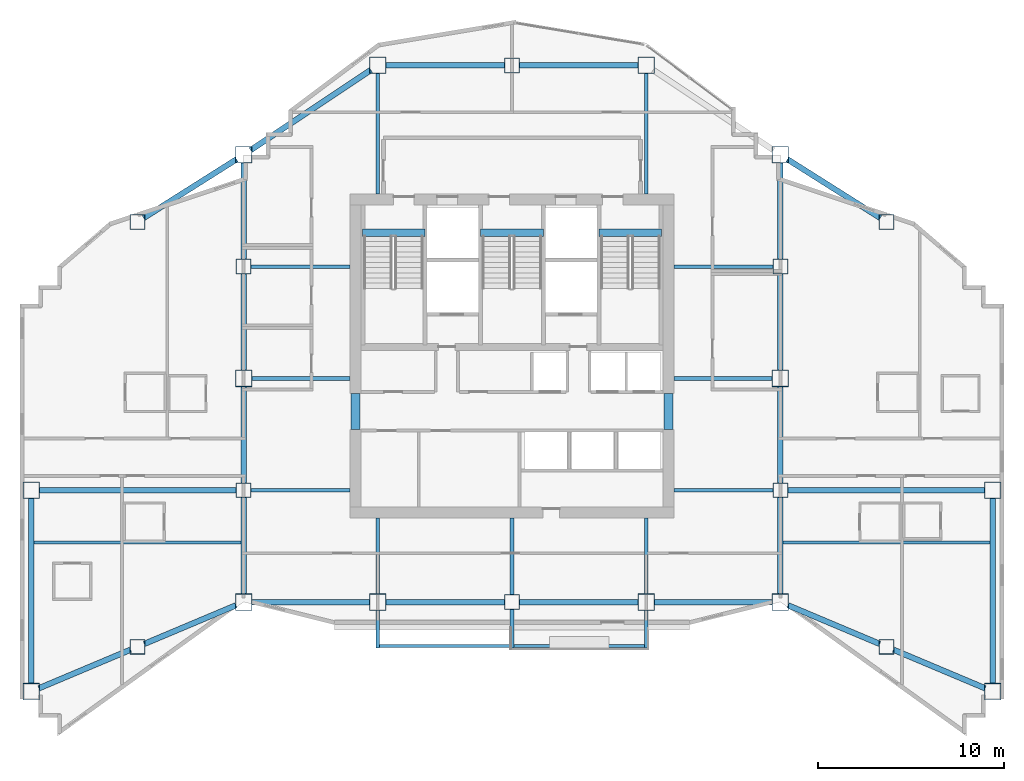
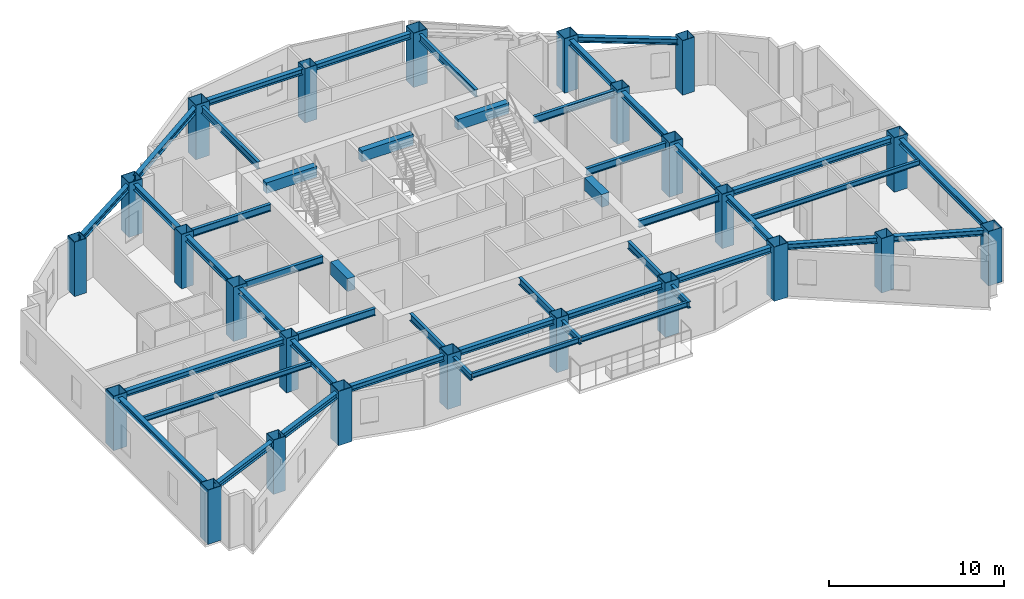
# One storey, part 1 of 10: 48 beams, 24 columns.
"""IFC4 building model written with IfcOpenShell, lengths in metres."""

from ifc_helpers import new_model, si_unit, direction, frame, origin, origin_2d, place, context, subcontext, project, spatial, rectangle, hollow_rectangle, i_section, extrude, material, material_profile, profile_set, type_object, element, save


model = new_model("IFC4")

# Units and contexts
model_context = context("Model", 3, precision=1e-05, world=origin(), true_north=direction((0.0, 1.0)))
body_context = subcontext(model_context, "Body", "Model", "MODEL_VIEW")
ifc_project = project(units=[si_unit("LENGTHUNIT", "METRE"), si_unit("AREAUNIT", "SQUARE_METRE"), si_unit("VOLUMEUNIT", "CUBIC_METRE"), si_unit("PLANEANGLEUNIT", "RADIAN"), si_unit("MASSUNIT", "GRAM", prefix="KILO")], contexts=[model_context])

# Site, building, storey
site_placement = place(None, origin())
site = spatial("IfcSite", under=ifc_project, at=site_placement, CompositionType="ELEMENT")
building_placement = place(site_placement, origin())
building = spatial("IfcBuilding", under=site, at=building_placement, Name="Haolan Belvedere Tower", CompositionType="ELEMENT")
storey_placement = place(building_placement, frame((0.0, 0.0, 176.60009765625)))
storey = spatial("IfcBuildingStorey", under=building, at=storey_placement, Name="L44", CompositionType="ELEMENT", Elevation=176.60009765625)

# Columns
ifc_material_1 = material(Name="Steel Q390GJC", Category="steel")
ifc_material_profile_1 = material_profile(ifc_material_1, hollow_rectangle(XDim=0.800048828125, YDim=0.800048828125, WallThickness=0.030029296875, at=origin_2d()), Name="Steel Q390GJC")
ifc_profile_set_1 = profile_set([ifc_material_profile_1], Name="Steel Q390GJC")
column_type_1 = type_object("IfcColumnType", Name="COL-BOX800x800x30", PredefinedType="COLUMN", material=ifc_profile_set_1)
for number, where, z_axis, x_axis, name in (
    (1, (24.0, 27.60009765625, 0.0), (0.0, 0.0, 1.0), (1.0, 0.0, 0.0), "L44 column TC-T3-W1 (BOX800x800x30)"),
    (2, (24.0, 39.60009765625, 0.0), (0.0, 0.0, 1.0), (1.0, 0.0, 0.0), "L44 column TC-T3-W2 (BOX800x800x30)"),
    (3, (52.800048828125, 27.60009765625, 0.0), (0.0, 0.0, 1.0), (1.0, 0.0, 0.0), "L44 column TC-T3-E1 (BOX800x800x30)"),
    (4, (52.800048828125, 39.60009765625, 0.0), (0.0, 0.0, 1.0), (1.0, 0.0, 0.0), "L44 column TC-T3-E2 (BOX800x800x30)"),
    (5, (38.39990234375, 21.60009765625, 0.0), (0.0, 0.0, 1.0), (1.0, 0.0, 0.0), "L44 column TC-T3-SM (BOX800x800x30)"),
    (6, (38.39990234375, 50.39990234375, 0.0), (0.0, 0.0, 1.0), (1.0, 0.0, 0.0), "L44 column TC-T3-NM (BOX800x800x30)"),
    (7, (18.300048828125, 19.199951171875, 0.0), (0.0, 0.0, 1.0), (1.0, 0.0, 0.0), "L44 column TC-T2-S1 (BOX800x800x30)"),
    (8, (18.300048828125, 42.0, 0.0), (0.0, 0.0, 1.0), (1.0, 0.0, 0.0), "L44 column TC-T2-N1 (BOX800x800x30)"),
    (9, (58.5, 19.199951171875, 0.0), (0.0, 0.0, 1.0), (1.0, 0.0, 0.0), "L44 column TC-T4-S1 (BOX800x800x30)"),
    (10, (58.5, 42.0, 0.0), (0.0, 0.0, 1.0), (1.0, 0.0, 0.0), "L44 column TC-T4-N1 (BOX800x800x30)"),
):
    element("IfcColumn", number, at=place(storey_placement, frame(where, z_axis=z_axis, x_axis=x_axis)), inside=storey, type_object=column_type_1, Name=name, PredefinedType="COLUMN", context=body_context, shape_type="SweptSolid", body=[
        extrude(hollow_rectangle(XDim=0.800048828125, YDim=0.800048828125, WallThickness=0.030029296875, at=origin_2d()), origin(), (0.0, 0.0, 1.0), 3.7998046875),
    ])
ifc_material_profile_2 = material_profile(ifc_material_1, hollow_rectangle(XDim=0.89990234375, YDim=0.89990234375, WallThickness=0.033935546875, at=origin_2d()), Name="Steel Q390GJC")
ifc_profile_set_2 = profile_set([ifc_material_profile_2], Name="Steel Q390GJC")
column_type_2 = type_object("IfcColumnType", Name="COL-BOX900x900x34", PredefinedType="COLUMN", material=ifc_profile_set_2)
for number, where, z_axis, x_axis, name in (
    (11, (24.0, 21.60009765625, 0.0), (0.0, 0.0, 1.0), (1.0, 0.0, 0.0), "L44 column MC-T3-SW (BOX900x900x34)"),
    (12, (24.0, 33.60009765625, 0.0), (0.0, 0.0, 1.0), (1.0, 0.0, 0.0), "L44 column MC-T3-MW (BOX900x900x34)"),
    (13, (24.0, 45.60009765625, 0.0), (0.0, 0.0, 1.0), (1.0, 0.0, 0.0), "L44 column MC-T3-NW (BOX900x900x34)"),
    (14, (52.800048828125, 21.60009765625, 0.0), (0.0, 0.0, 1.0), (1.0, 0.0, 0.0), "L44 column MC-T3-SE (BOX900x900x34)"),
    (15, (52.800048828125, 33.60009765625, 0.0), (0.0, 0.0, 1.0), (1.0, 0.0, 0.0), "L44 column MC-T3-ME (BOX900x900x34)"),
    (16, (52.800048828125, 45.60009765625, 0.0), (0.0, 0.0, 1.0), (1.0, 0.0, 0.0), "L44 column MC-T3-NE (BOX900x900x34)"),
    (17, (31.199951171875, 21.60009765625, 0.0), (0.0, 0.0, 1.0), (1.0, 0.0, 0.0), "L44 column MC-T3-S1 (BOX900x900x34)"),
    (18, (45.60009765625, 21.60009765625, 0.0), (0.0, 0.0, 1.0), (1.0, 0.0, 0.0), "L44 column MC-T3-S2 (BOX900x900x34)"),
    (19, (31.199951171875, 50.39990234375, 0.0), (0.0, 0.0, 1.0), (1.0, 0.0, 0.0), "L44 column MC-T3-N1 (BOX900x900x34)"),
    (20, (45.60009765625, 50.39990234375, 0.0), (0.0, 0.0, 1.0), (1.0, 0.0, 0.0), "L44 column MC-T3-N2 (BOX900x900x34)"),
    (21, (12.60009765625, 16.800048828125, 0.0), (0.0, 0.0, 1.0), (1.0, 0.0, 0.0), "L44 column MC-T2-SW (BOX900x900x34)"),
    (22, (12.60009765625, 27.60009765625, 0.0), (0.0, 0.0, 1.0), (1.0, 0.0, 0.0), "L44 column MC-T2-MW (BOX900x900x34)"),
    (23, (64.199951171875, 16.800048828125, 0.0), (0.0, 0.0, 1.0), (1.0, 0.0, 0.0), "L44 column MC-T4-SE (BOX900x900x34)"),
    (24, (64.199951171875, 27.60009765625, 0.0), (0.0, 0.0, 1.0), (1.0, 0.0, 0.0), "L44 column MC-T4-ME (BOX900x900x34)"),
):
    element("IfcColumn", number, at=place(storey_placement, frame(where, z_axis=z_axis, x_axis=x_axis)), inside=storey, type_object=column_type_2, Name=name, PredefinedType="COLUMN", context=body_context, shape_type="SweptSolid", body=[
        extrude(hollow_rectangle(XDim=0.89990234375, YDim=0.89990234375, WallThickness=0.033935546875, at=origin_2d()), origin(), (0.0, 0.0, 1.0), 3.7998046875),
    ])

# Beams
ifc_material_2 = material(Name="Steel Q355B", Category="steel")
ifc_material_profile_3 = material_profile(ifc_material_2, i_section(OverallWidth=0.300048828125, OverallDepth=0.389892578125, WebThickness=0.010009765625, FlangeThickness=0.01611328125, FilletRadius=0.02197265625, at=origin_2d()), Name="Steel Q355B")
ifc_profile_set_3 = profile_set([ifc_material_profile_3], Name="Steel Q355B")
beam_type_1 = type_object("IfcBeamType", Name="BM-HM390x300x10x16", PredefinedType="SPANDREL", material=ifc_profile_set_3)
for number, where, z_axis, x_axis, name in (
    (25, (24.0, 22.050048828125, 3.4248046875), (0.0, 1.0, 0.0), (-1.0, 0.0, 0.0), "L44 spandrel girder MC-T3-SW-TC-T3-W1"),
    (26, (24.0, 28.0, 3.4248046875), (0.0, 1.0, 0.0), (-1.0, 0.0, 0.0), "L44 spandrel girder TC-T3-W1-MC-T3-MW"),
    (27, (24.0, 34.050048828125, 3.4248046875), (0.0, 1.0, 0.0), (-1.0, 0.0, 0.0), "L44 spandrel girder MC-T3-MW-TC-T3-W2"),
    (28, (24.0, 40.0, 3.4248046875), (0.0, 1.0, 0.0), (-1.0, 0.0, 0.0), "L44 spandrel girder TC-T3-W2-MC-T3-NW"),
    (29, (52.800048828125, 22.050048828125, 3.4248046875), (0.0, 1.0, 0.0), (-1.0, 0.0, 0.0), "L44 spandrel girder MC-T3-SE-TC-T3-E1"),
    (30, (52.800048828125, 28.0, 3.4248046875), (0.0, 1.0, 0.0), (-1.0, 0.0, 0.0), "L44 spandrel girder TC-T3-E1-MC-T3-ME"),
    (31, (52.800048828125, 34.050048828125, 3.4248046875), (0.0, 1.0, 0.0), (-1.0, 0.0, 0.0), "L44 spandrel girder MC-T3-ME-TC-T3-E2"),
    (32, (52.800048828125, 40.0, 3.4248046875), (0.0, 1.0, 0.0), (-1.0, 0.0, 0.0), "L44 spandrel girder TC-T3-E2-MC-T3-NE"),
):
    element("IfcBeam", number, at=place(storey_placement, frame(where, z_axis=z_axis, x_axis=x_axis)), inside=storey, type_object=beam_type_1, Name=name, PredefinedType="SPANDREL", context=body_context, shape_type="SweptSolid", body=[
        extrude(i_section(OverallWidth=0.300048828125, OverallDepth=0.389892578125, WebThickness=0.010009765625, FlangeThickness=0.01611328125, FilletRadius=0.02197265625, at=origin_2d()), origin(), (0.0, 0.0, 1.0), 5.14990234375),
    ])
beam_1_placement = place(storey_placement, frame((24.449951171875, 21.60009765625, 3.4248046875), z_axis=(1.0, 0.0, 0.0), x_axis=(0.0, 1.0, 0.0)))
element("IfcBeam", 33, at=beam_1_placement, inside=storey, type_object=beam_type_1, Name="L44 spandrel girder MC-T3-SW-MC-T3-S1", PredefinedType="SPANDREL", context=body_context, shape_type="SweptSolid", body=[
    extrude(i_section(OverallWidth=0.300048828125, OverallDepth=0.389892578125, WebThickness=0.010009765625, FlangeThickness=0.01611328125, FilletRadius=0.02197265625, at=origin_2d()), origin(), (0.0, 0.0, 1.0), 6.300048828125),
])
beam_2_placement = place(storey_placement, frame((31.64990234375, 21.60009765625, 3.4248046875), z_axis=(1.0, 0.0, 0.0), x_axis=(0.0, 1.0, 0.0)))
element("IfcBeam", 34, at=beam_2_placement, inside=storey, type_object=beam_type_1, Name="L44 spandrel girder MC-T3-S1-TC-T3-SM", PredefinedType="SPANDREL", context=body_context, shape_type="SweptSolid", body=[
    extrude(i_section(OverallWidth=0.300048828125, OverallDepth=0.389892578125, WebThickness=0.010009765625, FlangeThickness=0.01611328125, FilletRadius=0.02197265625, at=origin_2d()), origin(), (0.0, 0.0, 1.0), 6.35009765625),
])
beam_3_placement = place(storey_placement, frame((38.800048828125, 21.60009765625, 3.4248046875), z_axis=(1.0, 0.0, 0.0), x_axis=(0.0, 1.0, 0.0)))
element("IfcBeam", 35, at=beam_3_placement, inside=storey, type_object=beam_type_1, Name="L44 spandrel girder TC-T3-SM-MC-T3-S2", PredefinedType="SPANDREL", context=body_context, shape_type="SweptSolid", body=[
    extrude(i_section(OverallWidth=0.300048828125, OverallDepth=0.389892578125, WebThickness=0.010009765625, FlangeThickness=0.01611328125, FilletRadius=0.02197265625, at=origin_2d()), origin(), (0.0, 0.0, 1.0), 6.349853515625),
])
beam_4_placement = place(storey_placement, frame((46.050048828125, 21.60009765625, 3.4248046875), z_axis=(1.0, 0.0, 0.0), x_axis=(0.0, 1.0, 0.0)))
element("IfcBeam", 36, at=beam_4_placement, inside=storey, type_object=beam_type_1, Name="L44 spandrel girder MC-T3-S2-MC-T3-SE", PredefinedType="SPANDREL", context=body_context, shape_type="SweptSolid", body=[
    extrude(i_section(OverallWidth=0.300048828125, OverallDepth=0.389892578125, WebThickness=0.010009765625, FlangeThickness=0.01611328125, FilletRadius=0.02197265625, at=origin_2d()), origin(), (0.0, 0.0, 1.0), 6.300048828125),
])
beam_5_placement = place(storey_placement, frame((24.37451171875, 45.849609375, 3.4248046875), z_axis=(0.832050294338, 0.554700196225, 0.0), x_axis=(-0.554700196225, 0.832050294338, 0.0)))
element("IfcBeam", 37, at=beam_5_placement, inside=storey, type_object=beam_type_1, Name="L44 spandrel girder MC-T3-NW-MC-T3-N1", PredefinedType="SPANDREL", context=body_context, shape_type="SweptSolid", body=[
    extrude(i_section(OverallWidth=0.300048828125, OverallDepth=0.389892578125, WebThickness=0.010009765625, FlangeThickness=0.01611328125, FilletRadius=0.02197265625, at=origin_2d()), origin(), (0.0, 0.0, 1.0), 7.75341796875),
])
beam_6_placement = place(storey_placement, frame((31.64990234375, 50.39990234375, 3.4248046875), z_axis=(1.0, 0.0, 0.0), x_axis=(0.0, 1.0, 0.0)))
element("IfcBeam", 38, at=beam_6_placement, inside=storey, type_object=beam_type_1, Name="L44 spandrel girder MC-T3-N1-TC-T3-NM", PredefinedType="SPANDREL", context=body_context, shape_type="SweptSolid", body=[
    extrude(i_section(OverallWidth=0.300048828125, OverallDepth=0.389892578125, WebThickness=0.010009765625, FlangeThickness=0.01611328125, FilletRadius=0.02197265625, at=origin_2d()), origin(), (0.0, 0.0, 1.0), 6.35009765625),
])
beam_7_placement = place(storey_placement, frame((38.800048828125, 50.39990234375, 3.4248046875), z_axis=(1.0, 0.0, 0.0), x_axis=(0.0, 1.0, 0.0)))
element("IfcBeam", 39, at=beam_7_placement, inside=storey, type_object=beam_type_1, Name="L44 spandrel girder TC-T3-NM-MC-T3-N2", PredefinedType="SPANDREL", context=body_context, shape_type="SweptSolid", body=[
    extrude(i_section(OverallWidth=0.300048828125, OverallDepth=0.389892578125, WebThickness=0.010009765625, FlangeThickness=0.01611328125, FilletRadius=0.02197265625, at=origin_2d()), origin(), (0.0, 0.0, 1.0), 6.349853515625),
])
beam_8_placement = place(storey_placement, frame((12.60009765625, 17.25, 3.4248046875), z_axis=(0.0, 1.0, 0.0), x_axis=(-1.0, 0.0, 0.0)))
element("IfcBeam", 40, at=beam_8_placement, inside=storey, type_object=beam_type_1, Name="L44 spandrel girder MC-T2-SW-MC-T2-MW", PredefinedType="SPANDREL", context=body_context, shape_type="SweptSolid", body=[
    extrude(i_section(OverallWidth=0.300048828125, OverallDepth=0.389892578125, WebThickness=0.010009765625, FlangeThickness=0.01611328125, FilletRadius=0.02197265625, at=origin_2d()), origin(), (0.0, 0.0, 1.0), 9.89990234375),
])
beam_9_placement = place(storey_placement, frame((13.0146484375, 16.974609375, 3.4248046875), z_axis=(0.921644850741, 0.388034494733, 0.0), x_axis=(-0.388034494733, 0.921644850741, 0.0)))
element("IfcBeam", 41, at=beam_9_placement, inside=storey, type_object=beam_type_1, Name="L44 spandrel girder MC-T2-SW-TC-T2-S1", PredefinedType="SPANDREL", context=body_context, shape_type="SweptSolid", body=[
    extrude(i_section(OverallWidth=0.300048828125, OverallDepth=0.389892578125, WebThickness=0.010009765625, FlangeThickness=0.01611328125, FilletRadius=0.02197265625, at=origin_2d()), origin(), (0.0, 0.0, 1.0), 5.334716796875),
])
beam_10_placement = place(storey_placement, frame((18.668701171875, 19.355224609375, 3.4248046875), z_axis=(0.921637959557, 0.388050862006, 0.0), x_axis=(-0.388050862006, 0.921637959557, 0.0)))
element("IfcBeam", 42, at=beam_10_placement, inside=storey, type_object=beam_type_1, Name="L44 spandrel girder TC-T2-S1-MC-T3-SW", PredefinedType="SPANDREL", context=body_context, shape_type="SweptSolid", body=[
    extrude(i_section(OverallWidth=0.300048828125, OverallDepth=0.389892578125, WebThickness=0.010009765625, FlangeThickness=0.01611328125, FilletRadius=0.02197265625, at=origin_2d()), origin(), (0.0, 0.0, 1.0), 5.33447265625),
])
beam_11_placement = place(storey_placement, frame((18.63818359375, 42.213623046875, 3.4248046875), z_axis=(0.845502688092, 0.533971164417, 0.0), x_axis=(-0.533971164417, 0.845502688092, 0.0)))
element("IfcBeam", 43, at=beam_11_placement, inside=storey, type_object=beam_type_1, Name="L44 spandrel girder TC-T2-N1-MC-T3-NW", PredefinedType="SPANDREL", context=body_context, shape_type="SweptSolid", body=[
    extrude(i_section(OverallWidth=0.300048828125, OverallDepth=0.389892578125, WebThickness=0.010009765625, FlangeThickness=0.01611328125, FilletRadius=0.02197265625, at=origin_2d()), origin(), (0.0, 0.0, 1.0), 5.8916015625),
])
beam_12_placement = place(storey_placement, frame((13.050048828125, 27.60009765625, 3.4248046875), z_axis=(1.0, 0.0, 0.0), x_axis=(0.0, 1.0, 0.0)))
element("IfcBeam", 44, at=beam_12_placement, inside=storey, type_object=beam_type_1, Name="L44 spandrel girder MC-T2-MW-TC-T3-W1", PredefinedType="SPANDREL", context=body_context, shape_type="SweptSolid", body=[
    extrude(i_section(OverallWidth=0.300048828125, OverallDepth=0.389892578125, WebThickness=0.010009765625, FlangeThickness=0.01611328125, FilletRadius=0.02197265625, at=origin_2d()), origin(), (0.0, 0.0, 1.0), 10.550048828125),
])
beam_13_placement = place(storey_placement, frame((64.199951171875, 17.25, 3.4248046875), z_axis=(0.0, 1.0, 0.0), x_axis=(-1.0, 0.0, 0.0)))
element("IfcBeam", 45, at=beam_13_placement, inside=storey, type_object=beam_type_1, Name="L44 spandrel girder MC-T4-SE-MC-T4-ME", PredefinedType="SPANDREL", context=body_context, shape_type="SweptSolid", body=[
    extrude(i_section(OverallWidth=0.300048828125, OverallDepth=0.389892578125, WebThickness=0.010009765625, FlangeThickness=0.01611328125, FilletRadius=0.02197265625, at=origin_2d()), origin(), (0.0, 0.0, 1.0), 9.89990234375),
])
for number, where, z_axis, x_axis, name in (
    (46, (53.21484375, 21.42529296875, 3.4248046875), (0.921637959557, -0.388050862006, 0.0), (0.388050862006, 0.921637959557, 0.0), "L44 spandrel girder MC-T3-SE-TC-T4-S1"),
    (47, (58.86865234375, 19.044677734375, 3.4248046875), (0.921637959557, -0.388050862006, 0.0), (0.388050862006, 0.921637959557, 0.0), "L44 spandrel girder TC-T4-S1-MC-T4-SE"),
):
    element("IfcBeam", number, at=place(storey_placement, frame(where, z_axis=z_axis, x_axis=x_axis)), inside=storey, type_object=beam_type_1, Name=name, PredefinedType="SPANDREL", context=body_context, shape_type="SweptSolid", body=[
        extrude(i_section(OverallWidth=0.300048828125, OverallDepth=0.389892578125, WebThickness=0.010009765625, FlangeThickness=0.01611328125, FilletRadius=0.02197265625, at=origin_2d()), origin(), (0.0, 0.0, 1.0), 5.33447265625),
    ])
beam_14_placement = place(storey_placement, frame((53.180419921875, 45.359619140625, 3.4248046875), z_axis=(0.845502688092, -0.533971164417, 0.0), x_axis=(0.533971164417, 0.845502688092, 0.0)))
element("IfcBeam", 48, at=beam_14_placement, inside=storey, type_object=beam_type_1, Name="L44 spandrel girder MC-T3-NE-TC-T4-N1", PredefinedType="SPANDREL", context=body_context, shape_type="SweptSolid", body=[
    extrude(i_section(OverallWidth=0.300048828125, OverallDepth=0.389892578125, WebThickness=0.010009765625, FlangeThickness=0.01611328125, FilletRadius=0.02197265625, at=origin_2d()), origin(), (0.0, 0.0, 1.0), 5.8916015625),
])
beam_15_placement = place(storey_placement, frame((53.199951171875, 27.60009765625, 3.4248046875), z_axis=(1.0, 0.0, 0.0), x_axis=(0.0, 1.0, 0.0)))
element("IfcBeam", 49, at=beam_15_placement, inside=storey, type_object=beam_type_1, Name="L44 spandrel girder TC-T3-E1-MC-T4-ME", PredefinedType="SPANDREL", context=body_context, shape_type="SweptSolid", body=[
    extrude(i_section(OverallWidth=0.300048828125, OverallDepth=0.389892578125, WebThickness=0.010009765625, FlangeThickness=0.01611328125, FilletRadius=0.02197265625, at=origin_2d()), origin(), (0.0, 0.0, 1.0), 10.550048828125),
])
ifc_material_profile_4 = material_profile(ifc_material_2, i_section(OverallWidth=0.175048828125, OverallDepth=0.35009765625, WebThickness=0.007080078125, FlangeThickness=0.010986328125, FilletRadius=0.012939453125, at=origin_2d()), Name="Steel Q355B")
ifc_profile_set_4 = profile_set([ifc_material_profile_4], Name="Steel Q355B")
beam_type_2 = type_object("IfcBeamType", Name="BM-HN350x175x7x11", PredefinedType="JOIST", material=ifc_profile_set_4)
for number, where, z_axis, x_axis, name in (
    (50, (12.75, 24.800048828125, 3.44482421875), (1.0, 0.0, 0.0), (0.0, 1.0, 0.0), "L44 west wing floor joist 1"),
    (51, (52.949951171875, 24.800048828125, 3.44482421875), (1.0, 0.0, 0.0), (0.0, 1.0, 0.0), "L44 east wing floor joist 1"),
):
    element("IfcBeam", number, at=place(storey_placement, frame(where, z_axis=z_axis, x_axis=x_axis)), inside=storey, type_object=beam_type_2, Name=name, PredefinedType="JOIST", context=body_context, shape_type="SweptSolid", body=[
        extrude(i_section(OverallWidth=0.175048828125, OverallDepth=0.35009765625, WebThickness=0.007080078125, FlangeThickness=0.010986328125, FilletRadius=0.012939453125, at=origin_2d()), origin(), (0.0, 0.0, 1.0), 11.10009765625),
    ])
for number, where, z_axis, x_axis, name in (
    (52, (31.300048828125, 19.239990234375, 3.39501953125), (1.0, 0.0, 0.0), (0.0, 1.0, 0.0), "L45 tree-balcony front trimmer beam 1"),
    (53, (38.5, 19.239990234375, 3.39501953125), (1.0, 0.0, 0.0), (0.0, 1.0, 0.0), "L45 tree-balcony front trimmer beam 2"),
):
    element("IfcBeam", number, at=place(storey_placement, frame(where, z_axis=z_axis, x_axis=x_axis)), inside=storey, type_object=beam_type_2, Name=name, PredefinedType="BEAM", context=body_context, shape_type="SweptSolid", body=[
        extrude(i_section(OverallWidth=0.175048828125, OverallDepth=0.35009765625, WebThickness=0.007080078125, FlangeThickness=0.010986328125, FilletRadius=0.012939453125, at=origin_2d()), origin(), (0.0, 0.0, 1.0), 7.0),
    ])
ifc_material_profile_5 = material_profile(ifc_material_2, i_section(OverallWidth=0.199951171875, OverallDepth=0.449951171875, WebThickness=0.009033203125, FlangeThickness=0.013916015625, FilletRadius=0.01611328125, at=origin_2d()), Name="Steel Q355B")
ifc_profile_set_5 = profile_set([ifc_material_profile_5], Name="Steel Q355B")
beam_type_3 = type_object("IfcBeamType", Name="BM-HN450x200x9x14", PredefinedType="BEAM", material=ifc_profile_set_5)
beam_16_placement = place(storey_placement, frame((31.199951171875, 21.14990234375, 3.344970703125), z_axis=(0.0, -1.0, 0.0), x_axis=(1.0, 0.0, 0.0)))
element("IfcBeam", 54, at=beam_16_placement, inside=storey, type_object=beam_type_3, Name="L45 tree-balcony column cantilever MC-T3-S1", PredefinedType="BEAM", context=body_context, shape_type="SweptSolid", body=[
    extrude(i_section(OverallWidth=0.199951171875, OverallDepth=0.449951171875, WebThickness=0.009033203125, FlangeThickness=0.013916015625, FilletRadius=0.01611328125, at=origin_2d()), origin(), (0.0, 0.0, 1.0), 2.010009765625),
])
beam_17_placement = place(storey_placement, frame((38.39990234375, 21.199951171875, 3.344970703125), z_axis=(0.0, -1.0, 0.0), x_axis=(1.0, 0.0, 0.0)))
element("IfcBeam", 55, at=beam_17_placement, inside=storey, type_object=beam_type_3, Name="L45 tree-balcony column cantilever TC-T3-SM", PredefinedType="BEAM", context=body_context, shape_type="SweptSolid", body=[
    extrude(i_section(OverallWidth=0.199951171875, OverallDepth=0.449951171875, WebThickness=0.009033203125, FlangeThickness=0.013916015625, FilletRadius=0.01611328125, at=origin_2d()), origin(), (0.0, 0.0, 1.0), 2.06005859375),
])
beam_18_placement = place(storey_placement, frame((45.60009765625, 21.14990234375, 3.344970703125), z_axis=(0.0, -1.0, 0.0), x_axis=(1.0, 0.0, 0.0)))
element("IfcBeam", 56, at=beam_18_placement, inside=storey, type_object=beam_type_3, Name="L45 tree-balcony column cantilever MC-T3-S2", PredefinedType="BEAM", context=body_context, shape_type="SweptSolid", body=[
    extrude(i_section(OverallWidth=0.199951171875, OverallDepth=0.449951171875, WebThickness=0.009033203125, FlangeThickness=0.013916015625, FilletRadius=0.01611328125, at=origin_2d()), origin(), (0.0, 0.0, 1.0), 2.010009765625),
])
ifc_material_profile_6 = material_profile(ifc_material_2, i_section(OverallWidth=0.199951171875, OverallDepth=0.5, WebThickness=0.010009765625, FlangeThickness=0.01611328125, FilletRadius=0.02001953125, at=origin_2d()), Name="Steel Q355B")
ifc_profile_set_6 = profile_set([ifc_material_profile_6], Name="Steel Q355B")
beam_type_4 = type_object("IfcBeamType", Name="BM-HN500x200x10x16", PredefinedType="BEAM", material=ifc_profile_set_6)
beam_19_placement = place(storey_placement, frame((24.449951171875, 33.60009765625, 3.369873046875), z_axis=(1.0, 0.0, 0.0), x_axis=(0.0, 1.0, 0.0)))
element("IfcBeam", 57, at=beam_19_placement, inside=storey, type_object=beam_type_4, Name="L44 core tie beam from MC-T3-MW", PredefinedType="BEAM", context=body_context, shape_type="SweptSolid", body=[
    extrude(i_section(OverallWidth=0.199951171875, OverallDepth=0.5, WebThickness=0.010009765625, FlangeThickness=0.01611328125, FilletRadius=0.02001953125, at=origin_2d()), origin(), (0.0, 0.0, 1.0), 5.25),
])
for number, where, z_axis, x_axis, name in (
    (58, (24.39990234375, 27.60009765625, 3.369873046875), (1.0, 0.0, 0.0), (0.0, 1.0, 0.0), "L44 core tie beam from TC-T3-W1"),
    (59, (24.39990234375, 39.60009765625, 3.369873046875), (1.0, 0.0, 0.0), (0.0, 1.0, 0.0), "L44 core tie beam from TC-T3-W2"),
):
    element("IfcBeam", number, at=place(storey_placement, frame(where, z_axis=z_axis, x_axis=x_axis)), inside=storey, type_object=beam_type_4, Name=name, PredefinedType="BEAM", context=body_context, shape_type="SweptSolid", body=[
        extrude(i_section(OverallWidth=0.199951171875, OverallDepth=0.5, WebThickness=0.010009765625, FlangeThickness=0.01611328125, FilletRadius=0.02001953125, at=origin_2d()), origin(), (0.0, 0.0, 1.0), 5.300048828125),
    ])
beam_20_placement = place(storey_placement, frame((52.35009765625, 33.60009765625, 3.369873046875), z_axis=(-1.0, 0.0, 0.0), x_axis=(0.0, -1.0, 0.0)))
element("IfcBeam", 60, at=beam_20_placement, inside=storey, type_object=beam_type_4, Name="L44 core tie beam from MC-T3-ME", PredefinedType="BEAM", context=body_context, shape_type="SweptSolid", body=[
    extrude(i_section(OverallWidth=0.199951171875, OverallDepth=0.5, WebThickness=0.010009765625, FlangeThickness=0.01611328125, FilletRadius=0.02001953125, at=origin_2d()), origin(), (0.0, 0.0, 1.0), 5.25),
])
for number, where, z_axis, x_axis, name in (
    (61, (52.39990234375, 27.60009765625, 3.369873046875), (-1.0, 0.0, 0.0), (0.0, -1.0, 0.0), "L44 core tie beam from TC-T3-E1"),
    (62, (52.39990234375, 39.60009765625, 3.369873046875), (-1.0, 0.0, 0.0), (0.0, -1.0, 0.0), "L44 core tie beam from TC-T3-E2"),
):
    element("IfcBeam", number, at=place(storey_placement, frame(where, z_axis=z_axis, x_axis=x_axis)), inside=storey, type_object=beam_type_4, Name=name, PredefinedType="BEAM", context=body_context, shape_type="SweptSolid", body=[
        extrude(i_section(OverallWidth=0.199951171875, OverallDepth=0.5, WebThickness=0.010009765625, FlangeThickness=0.01611328125, FilletRadius=0.02001953125, at=origin_2d()), origin(), (0.0, 0.0, 1.0), 5.2998046875),
    ])
beam_21_placement = place(storey_placement, frame((31.199951171875, 22.050048828125, 3.369873046875), z_axis=(0.0, 1.0, 0.0), x_axis=(-1.0, 0.0, 0.0)))
element("IfcBeam", 63, at=beam_21_placement, inside=storey, type_object=beam_type_4, Name="L44 core tie beam from MC-T3-S1", PredefinedType="BEAM", context=body_context, shape_type="SweptSolid", body=[
    extrude(i_section(OverallWidth=0.199951171875, OverallDepth=0.5, WebThickness=0.010009765625, FlangeThickness=0.01611328125, FilletRadius=0.02001953125, at=origin_2d()), origin(), (0.0, 0.0, 1.0), 4.050048828125),
])
beam_22_placement = place(storey_placement, frame((38.39990234375, 22.0, 3.369873046875), z_axis=(0.0, 1.0, 0.0), x_axis=(-1.0, 0.0, 0.0)))
element("IfcBeam", 64, at=beam_22_placement, inside=storey, type_object=beam_type_4, Name="L44 core tie beam from TC-T3-SM", PredefinedType="BEAM", context=body_context, shape_type="SweptSolid", body=[
    extrude(i_section(OverallWidth=0.199951171875, OverallDepth=0.5, WebThickness=0.010009765625, FlangeThickness=0.01611328125, FilletRadius=0.02001953125, at=origin_2d()), origin(), (0.0, 0.0, 1.0), 4.10009765625),
])
beam_23_placement = place(storey_placement, frame((45.60009765625, 22.050048828125, 3.369873046875), z_axis=(0.0, 1.0, 0.0), x_axis=(-1.0, 0.0, 0.0)))
element("IfcBeam", 65, at=beam_23_placement, inside=storey, type_object=beam_type_4, Name="L44 core tie beam from MC-T3-S2", PredefinedType="BEAM", context=body_context, shape_type="SweptSolid", body=[
    extrude(i_section(OverallWidth=0.199951171875, OverallDepth=0.5, WebThickness=0.010009765625, FlangeThickness=0.01611328125, FilletRadius=0.02001953125, at=origin_2d()), origin(), (0.0, 0.0, 1.0), 4.050048828125),
])
for number, where, z_axis, x_axis, name in (
    (66, (31.199951171875, 49.949951171875, 3.369873046875), (0.0, -1.0, 0.0), (1.0, 0.0, 0.0), "L44 core tie beam from MC-T3-N1"),
    (67, (45.60009765625, 49.949951171875, 3.369873046875), (0.0, -1.0, 0.0), (1.0, 0.0, 0.0), "L44 core tie beam from MC-T3-N2"),
):
    element("IfcBeam", number, at=place(storey_placement, frame(where, z_axis=z_axis, x_axis=x_axis)), inside=storey, type_object=beam_type_4, Name=name, PredefinedType="BEAM", context=body_context, shape_type="SweptSolid", body=[
        extrude(i_section(OverallWidth=0.199951171875, OverallDepth=0.5, WebThickness=0.010009765625, FlangeThickness=0.01611328125, FilletRadius=0.02001953125, at=origin_2d()), origin(), (0.0, 0.0, 1.0), 6.449951171875),
    ])
ifc_material_3 = material(Name="Concrete C50/60", Category="concrete")
ifc_material_profile_7 = material_profile(ifc_material_3, rectangle(XDim=0.39990234375, YDim=0.75, at=origin_2d()), Name="Concrete C50/60")
ifc_profile_set_7 = profile_set([ifc_material_profile_7], Name="Concrete C50/60")
beam_type_5 = type_object("IfcBeamType", Name="BM-RC400x750", PredefinedType="T_BEAM", material=ifc_profile_set_7)
beam_24_placement = place(storey_placement, frame((30.3798828125, 41.429931640625, 3.4248046875), z_axis=(1.0, 0.0, 0.0), x_axis=(0.0, 1.0, 0.0)))
element("IfcBeam", 68, at=beam_24_placement, inside=storey, type_object=beam_type_5, Name="L45 stair ST1 RC header trimmer beam", PredefinedType="BEAM", context=body_context, shape_type="SweptSolid", body=[
    extrude(rectangle(XDim=0.39990234375, YDim=0.75, at=origin_2d()), origin(), (0.0, 0.0, 1.0), 3.360107421875),
])
beam_25_placement = place(storey_placement, frame((36.699951171875, 41.429931640625, 3.4248046875), z_axis=(1.0, 0.0, 0.0), x_axis=(0.0, 1.0, 0.0)))
element("IfcBeam", 69, at=beam_25_placement, inside=storey, type_object=beam_type_5, Name="L45 stair ST3 RC header trimmer beam", PredefinedType="BEAM", context=body_context, shape_type="SweptSolid", body=[
    extrude(rectangle(XDim=0.39990234375, YDim=0.75, at=origin_2d()), origin(), (0.0, 0.0, 1.0), 3.400146484375),
])
beam_26_placement = place(storey_placement, frame((43.06005859375, 41.429931640625, 3.4248046875), z_axis=(1.0, 0.0, 0.0), x_axis=(0.0, 1.0, 0.0)))
element("IfcBeam", 70, at=beam_26_placement, inside=storey, type_object=beam_type_5, Name="L45 stair ST2 RC header trimmer beam", PredefinedType="BEAM", context=body_context, shape_type="SweptSolid", body=[
    extrude(rectangle(XDim=0.39990234375, YDim=0.75, at=origin_2d()), origin(), (0.0, 0.0, 1.0), 3.35986328125),
])
ifc_material_4 = material(Name="Concrete C60/75", Category="concrete")
ifc_material_profile_8 = material_profile(ifc_material_4, rectangle(XDim=0.5, YDim=0.89990234375, at=origin_2d()), Name="Concrete C60/75")
ifc_profile_set_8 = profile_set([ifc_material_profile_8], Name="Concrete C60/75")
beam_type_6 = type_object("IfcBeamType", Name="BM-RC500x900", PredefinedType="LINTEL", material=ifc_profile_set_8)
for number, where, z_axis, x_axis, name in (
    (71, (30.0, 30.85009765625, 3.169921875), (0.0, 1.0, 0.0), (-1.0, 0.0, 0.0), "L44 west core coupling beam CB-01"),
    (72, (46.800048828125, 30.85009765625, 3.169921875), (0.0, 1.0, 0.0), (-1.0, 0.0, 0.0), "L44 east core coupling beam CB-01"),
):
    element("IfcBeam", number, at=place(storey_placement, frame(where, z_axis=z_axis, x_axis=x_axis)), inside=storey, type_object=beam_type_6, Name=name, PredefinedType="LINTEL", context=body_context, shape_type="SweptSolid", body=[
        extrude(rectangle(XDim=0.5, YDim=0.89990234375, at=origin_2d()), origin(), (0.0, 0.0, 1.0), 1.949951171875),
    ])

save(model, "model.ifc")
